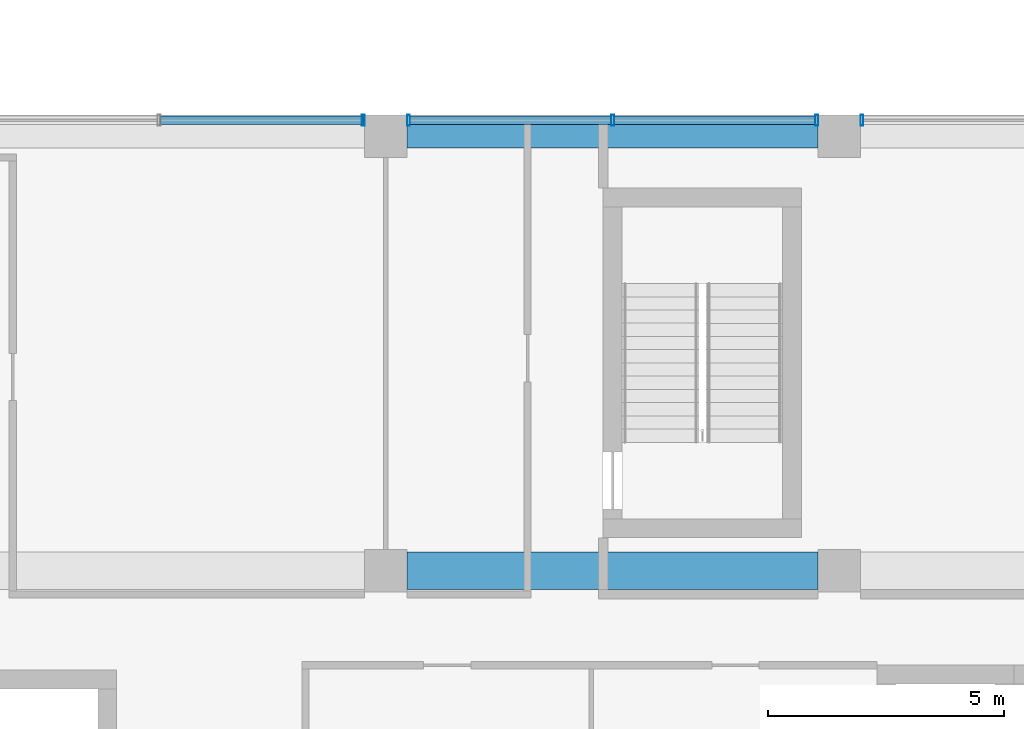
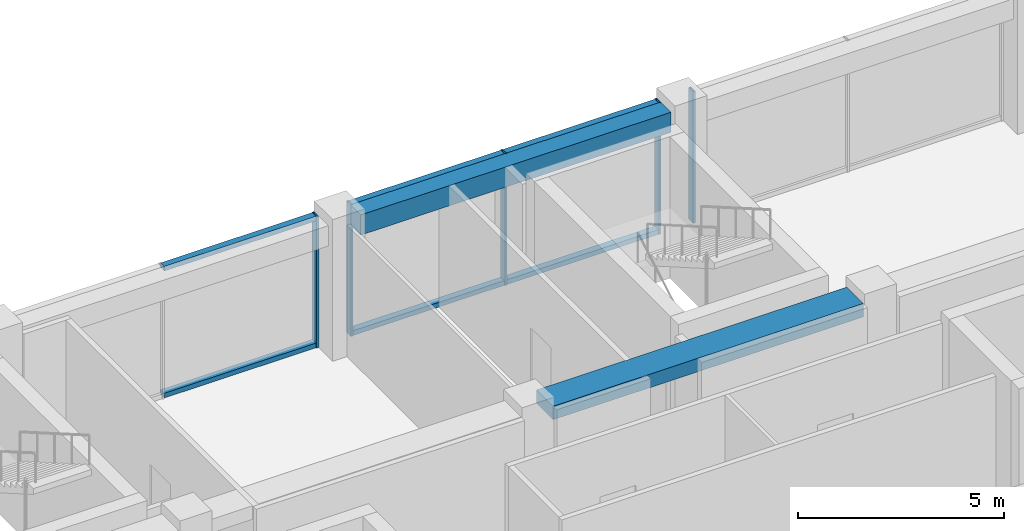
# One storey, part 22 of 36: 11 members, 2 beams, 3 elements without a shape of their own.
"""IFC4 building model written with IfcOpenShell, lengths in metres."""

from ifc_helpers import new_model, si_unit, direction, frame, origin, origin_2d, place, context, subcontext, project, spatial, rectangle, hollow_rectangle, extrude, material, layer, layer_set, material_profile, profile_set, type_object, element, aggregate, save


model = new_model("IFC4")

# Units and contexts
model_context = context("Model", 3, precision=1e-05, world=origin(), true_north=direction((0.0, 1.0)))
body_context = subcontext(model_context, "Body", "Model", "MODEL_VIEW")
ifc_project = project(units=[si_unit("LENGTHUNIT", "METRE"), si_unit("AREAUNIT", "SQUARE_METRE"), si_unit("VOLUMEUNIT", "CUBIC_METRE"), si_unit("PLANEANGLEUNIT", "RADIAN"), si_unit("MASSUNIT", "GRAM", prefix="KILO")], contexts=[model_context])

# Site, building, storey
site_placement = place(None, origin())
site = spatial("IfcSite", under=ifc_project, at=site_placement, CompositionType="ELEMENT")
building_placement = place(site_placement, origin())
building = spatial("IfcBuilding", under=site, at=building_placement, Name="Nzadi Deep Aquarium and Research Tower", CompositionType="ELEMENT")
storey_placement = place(building_placement, frame((0.0, 0.0, 44.5)))
storey = spatial("IfcBuildingStorey", under=building, at=storey_placement, Name="L08", CompositionType="ELEMENT", Elevation=44.5)

# Curtain wall, member
ifc_material_1 = material(Name="Aluminium unitised frame deep", Category="aluminium")
ifc_layer = layer(ifc_material_1, 0.22509765625)
ifc_layer_set = layer_set([ifc_layer], Name="Aluminium unitised frame deep")
curtain_wall_type = type_object("IfcCurtainWallType", Name="Curtain wall Unitised Deep 225", PredefinedType="NOTDEFINED", material=ifc_layer_set)
curtain_wall_1_placement = place(storey_placement, origin())
curtain_wall_1 = element("IfcCurtainWall", 1, at=curtain_wall_1_placement, inside=storey, type_object=curtain_wall_type, Name="Unitised curtain wall blade B north L08", PredefinedType="NOTDEFINED")
ifc_material_2 = material(Name="Aluminium unitised frame deep", Category="aluminium")
ifc_material_profile_1 = material_profile(ifc_material_2, hollow_rectangle(XDim=0.22509765625, YDim=0.06005859375, WallThickness=0.0048828125, at=origin_2d()))
ifc_profile_set_1 = profile_set([ifc_material_profile_1], Name="Aluminium unitised frame deep")
member_type_1 = type_object("IfcMemberType", Name="Mullion 60x225 Unitised Deep", PredefinedType="MULLION", material=ifc_profile_set_1)
member_1_placement = place(storey_placement, frame((18.719970703125, 46.33740234375, 0.0), z_axis=(0.0, 0.0, 1.0), x_axis=(0.0, 1.0, 0.0)))
member_1 = element("IfcMember", 2, at=member_1_placement, type_object=member_type_1, Name="CW114 mullion 3", PredefinedType="MULLION", context=body_context, shape_type="SweptSolid", body=[
    extrude(hollow_rectangle(XDim=0.22509765625, YDim=0.06005859375, WallThickness=0.0048828125, at=origin_2d()), origin(), (0.0, 0.0, 1.0), 3.89990234375),
])

# Curtain wall, members
curtain_wall_2_placement = place(storey_placement, origin())
curtain_wall_2 = element("IfcCurtainWall", 3, at=curtain_wall_2_placement, inside=storey, type_object=curtain_wall_type, Name="Unitised curtain wall blade B north L08", PredefinedType="NOTDEFINED")
member_2_placement = place(storey_placement, frame((19.679931640625, 46.33740234375, 0.0), z_axis=(0.0, 0.0, 1.0), x_axis=(0.0, 1.0, 0.0)))
member_2 = element("IfcMember", 4, at=member_2_placement, type_object=member_type_1, Name="CW115 mullion 1", PredefinedType="MULLION", context=body_context, shape_type="SweptSolid", body=[
    extrude(hollow_rectangle(XDim=0.22509765625, YDim=0.06005859375, WallThickness=0.0048828125, at=origin_2d()), origin(), (0.0, 0.0, 1.0), 3.89990234375),
])
member_3_placement = place(storey_placement, frame((24.0, 46.33740234375, 0.0), z_axis=(0.0, 0.0, 1.0), x_axis=(0.0, 1.0, 0.0)))
member_3 = element("IfcMember", 5, at=member_3_placement, type_object=member_type_1, Name="CW115 mullion 2", PredefinedType="MULLION", context=body_context, shape_type="SweptSolid", body=[
    extrude(hollow_rectangle(XDim=0.22509765625, YDim=0.06005859375, WallThickness=0.0048828125, at=origin_2d()), origin(), (0.0, 0.0, 1.0), 3.89990234375),
])
member_4_placement = place(storey_placement, frame((28.320068359375, 46.33740234375, 0.0), z_axis=(0.0, 0.0, 1.0), x_axis=(0.0, 1.0, 0.0)))
member_4 = element("IfcMember", 6, at=member_4_placement, type_object=member_type_1, Name="CW115 mullion 3", PredefinedType="MULLION", context=body_context, shape_type="SweptSolid", body=[
    extrude(hollow_rectangle(XDim=0.22509765625, YDim=0.06005859375, WallThickness=0.0048828125, at=origin_2d()), origin(), (0.0, 0.0, 1.0), 3.89990234375),
])

# Curtain wall, member
curtain_wall_3_placement = place(storey_placement, origin())
curtain_wall_3 = element("IfcCurtainWall", 7, at=curtain_wall_3_placement, inside=storey, type_object=curtain_wall_type, Name="Unitised curtain wall blade B north L08", PredefinedType="NOTDEFINED")
member_5_placement = place(storey_placement, frame((29.280029296875, 46.33740234375, 0.0), z_axis=(0.0, 0.0, 1.0), x_axis=(0.0, 1.0, 0.0)))
member_5 = element("IfcMember", 8, at=member_5_placement, type_object=member_type_1, Name="CW116 mullion 1", PredefinedType="MULLION", context=body_context, shape_type="SweptSolid", body=[
    extrude(hollow_rectangle(XDim=0.22509765625, YDim=0.06005859375, WallThickness=0.0048828125, at=origin_2d()), origin(), (0.0, 0.0, 1.0), 3.89990234375),
])
aggregate(curtain_wall_3, [member_5])

# Beams
ifc_material_3 = material(Name="Concrete C35/45", Category="concrete")
ifc_material_profile_2 = material_profile(ifc_material_3, rectangle(XDim=0.5, YDim=0.60009765625, at=origin_2d()))
ifc_profile_set_2 = profile_set([ifc_material_profile_2], Name="Concrete C35/45")
beam_type_1 = type_object("IfcBeamType", Name="RC 500x600", PredefinedType="BEAM", material=ifc_profile_set_2)
beam_1_placement = place(storey_placement, frame((19.64990234375, 46.0, 3.60009765625), z_axis=(1.0, 0.0, 0.0), x_axis=(0.0, 1.0, 0.0)))
element("IfcBeam", 9, at=beam_1_placement, inside=storey, type_object=beam_type_1, Name="B-Z1-L08-L6-3", PredefinedType="BEAM", context=body_context, shape_type="SweptSolid", body=[
    extrude(rectangle(XDim=0.5, YDim=0.60009765625, at=origin_2d()), origin(), (0.0, 0.0, 1.0), 8.7001953125),
])
ifc_material_4 = material(Name="Concrete C35/45", Category="concrete")
ifc_material_profile_3 = material_profile(ifc_material_4, rectangle(XDim=0.800048828125, YDim=0.39990234375, at=origin_2d()))
ifc_profile_set_3 = profile_set([ifc_material_profile_3], Name="Concrete C35/45")
beam_type_2 = type_object("IfcBeamType", Name="RC 800x400", PredefinedType="BEAM", material=ifc_profile_set_3)
beam_2_placement = place(storey_placement, frame((19.64990234375, 36.800048828125, 3.699951171875), z_axis=(1.0, 0.0, 0.0), x_axis=(0.0, 1.0, 0.0)))
element("IfcBeam", 10, at=beam_2_placement, inside=storey, type_object=beam_type_2, Name="B-Z1-L08-L5-3", PredefinedType="BEAM", context=body_context, shape_type="SweptSolid", body=[
    extrude(rectangle(XDim=0.800048828125, YDim=0.39990234375, at=origin_2d()), origin(), (0.0, 0.0, 1.0), 8.7001953125),
])

# Member
ifc_material_5 = material(Name="Aluminium unitised frame deep", Category="aluminium")
ifc_material_profile_4 = material_profile(ifc_material_5, hollow_rectangle(XDim=0.179931640625, YDim=0.139892578125, WallThickness=0.0048828125, at=origin_2d()))
ifc_profile_set_4 = profile_set([ifc_material_profile_4], Name="Aluminium unitised frame deep")
member_type_2 = type_object("IfcMemberType", Name="Transom 140x180 Unitised Deep", PredefinedType="MULLION", material=ifc_profile_set_4)
member_6_placement = place(storey_placement, frame((14.429931640625, 46.33740234375, 0.070068359375), z_axis=(1.0, 0.0, 0.0), x_axis=(0.0, 1.0, 0.0)))
member_6 = element("IfcMember", 11, at=member_6_placement, type_object=member_type_2, Name="CW114 transom 2.1", PredefinedType="MULLION", context=body_context, shape_type="SweptSolid", body=[
    extrude(hollow_rectangle(XDim=0.179931640625, YDim=0.139892578125, WallThickness=0.0048828125, at=origin_2d()), origin(), (0.0, 0.0, 1.0), 4.260009765625),
])

member_7_placement = place(storey_placement, frame((14.429931640625, 46.33740234375, 3.830078125), z_axis=(1.0, 0.0, 0.0), x_axis=(0.0, 1.0, 0.0)))
member_7 = element("IfcMember", 12, at=member_7_placement, type_object=member_type_2, Name="CW114 transom 2.2", PredefinedType="MULLION", context=body_context, shape_type="SweptSolid", body=[
    extrude(hollow_rectangle(XDim=0.179931640625, YDim=0.139892578125, WallThickness=0.0048828125, at=origin_2d()), origin(), (0.0, 0.0, 1.0), 4.260009765625),
])

aggregate(curtain_wall_1, [member_1, member_6, member_7])

member_8_placement = place(storey_placement, frame((19.7099609375, 46.33740234375, 0.070068359375), z_axis=(1.0, 0.0, 0.0), x_axis=(0.0, 1.0, 0.0)))
member_8 = element("IfcMember", 13, at=member_8_placement, type_object=member_type_2, Name="CW115 transom 1.1", PredefinedType="MULLION", context=body_context, shape_type="SweptSolid", body=[
    extrude(hollow_rectangle(XDim=0.179931640625, YDim=0.139892578125, WallThickness=0.0048828125, at=origin_2d()), origin(), (0.0, 0.0, 1.0), 4.260009765625),
])

member_9_placement = place(storey_placement, frame((19.7099609375, 46.33740234375, 3.830078125), z_axis=(1.0, 0.0, 0.0), x_axis=(0.0, 1.0, 0.0)))
member_9 = element("IfcMember", 14, at=member_9_placement, type_object=member_type_2, Name="CW115 transom 1.2", PredefinedType="MULLION", context=body_context, shape_type="SweptSolid", body=[
    extrude(hollow_rectangle(XDim=0.179931640625, YDim=0.139892578125, WallThickness=0.0048828125, at=origin_2d()), origin(), (0.0, 0.0, 1.0), 4.260009765625),
])

member_10_placement = place(storey_placement, frame((24.030029296875, 46.33740234375, 0.070068359375), z_axis=(1.0, 0.0, 0.0), x_axis=(0.0, 1.0, 0.0)))
member_10 = element("IfcMember", 15, at=member_10_placement, type_object=member_type_2, Name="CW115 transom 2.1", PredefinedType="MULLION", context=body_context, shape_type="SweptSolid", body=[
    extrude(hollow_rectangle(XDim=0.179931640625, YDim=0.139892578125, WallThickness=0.0048828125, at=origin_2d()), origin(), (0.0, 0.0, 1.0), 4.260009765625),
])

member_11_placement = place(storey_placement, frame((24.030029296875, 46.33740234375, 3.830078125), z_axis=(1.0, 0.0, 0.0), x_axis=(0.0, 1.0, 0.0)))
member_11 = element("IfcMember", 16, at=member_11_placement, type_object=member_type_2, Name="CW115 transom 2.2", PredefinedType="MULLION", context=body_context, shape_type="SweptSolid", body=[
    extrude(hollow_rectangle(XDim=0.179931640625, YDim=0.139892578125, WallThickness=0.0048828125, at=origin_2d()), origin(), (0.0, 0.0, 1.0), 4.260009765625),
])

aggregate(curtain_wall_2, [member_2, member_3, member_4, member_8, member_9, member_10, member_11])

save(model, "model.ifc")
